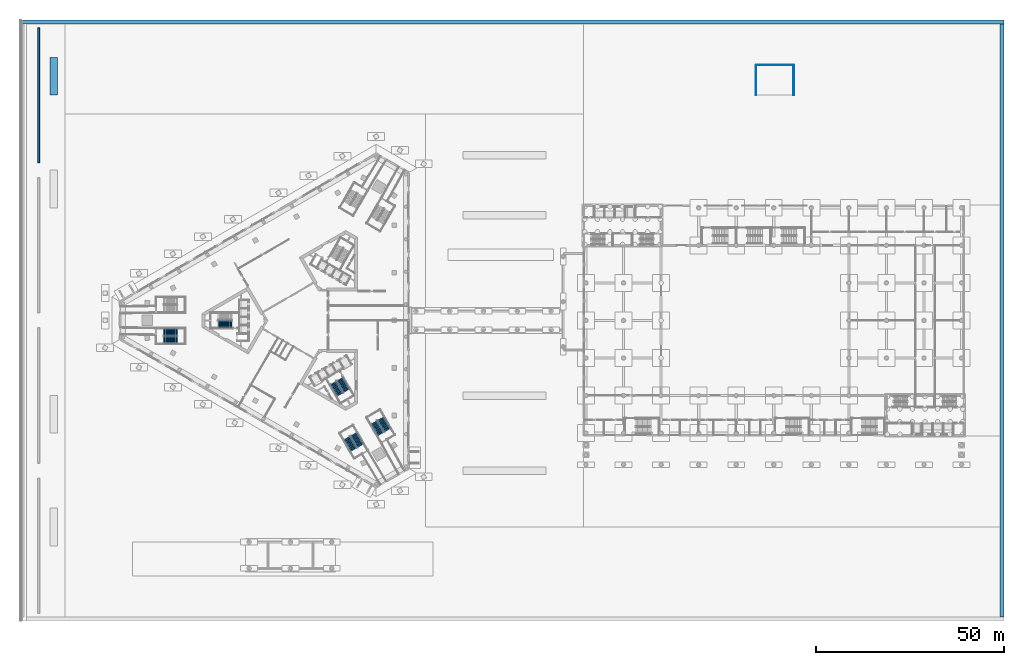
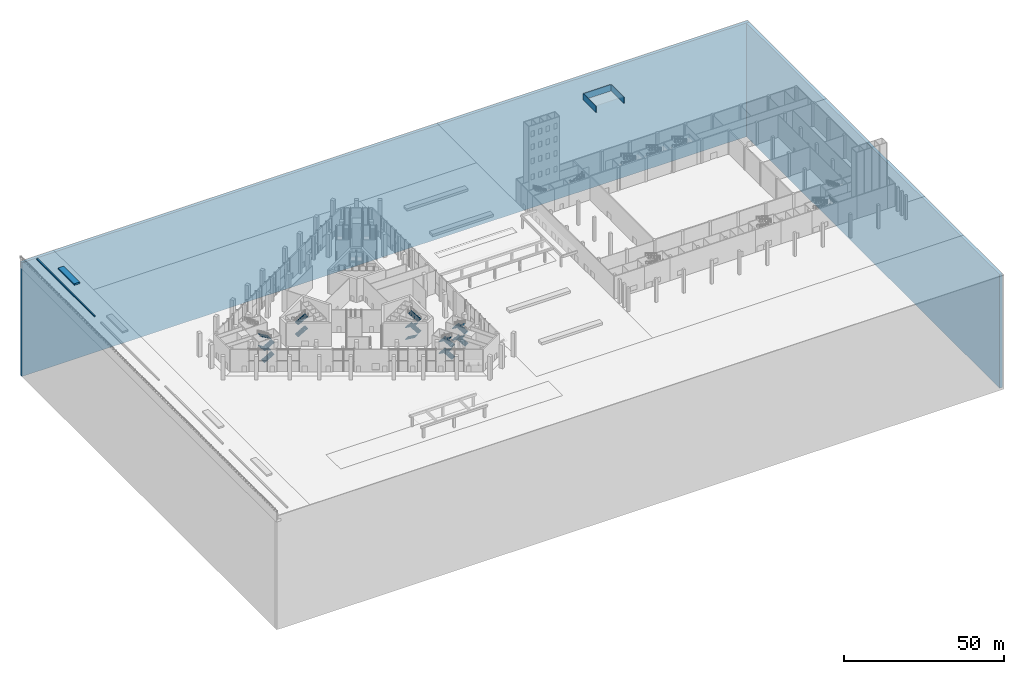
# One storey, part 40 of 63: 18 stair flights, 7 walls, 5 elements without a shape of their own.
"""IFC4 building model written with IfcOpenShell, lengths in metres."""

from ifc_helpers import new_model, si_unit, direction, frame, frame_2d, origin, place, context, subcontext, project, spatial, polyline, rectangle, outline, extrude, material, layer, layer_set, type_object, element, aggregate, save


model = new_model("IFC4")

# Units and contexts
model_context = context("Model", 3, precision=1e-05, world=origin(), true_north=direction((0.0, 1.0)))
body_context = subcontext(model_context, "Body", "Model", "MODEL_VIEW")
ifc_project = project(units=[si_unit("LENGTHUNIT", "METRE"), si_unit("AREAUNIT", "SQUARE_METRE"), si_unit("VOLUMEUNIT", "CUBIC_METRE"), si_unit("PLANEANGLEUNIT", "RADIAN"), si_unit("MASSUNIT", "GRAM", prefix="KILO")], contexts=[model_context])

# Site, building, storey
site_placement = place(None, origin())
site = spatial("IfcSite", under=ifc_project, at=site_placement, CompositionType="ELEMENT")
building_placement = place(site_placement, origin())
building = spatial("IfcBuilding", under=site, at=building_placement, Name="Jabali Bay Hotel Tower and Convention Centre", CompositionType="ELEMENT")
storey_placement = place(building_placement, origin())
storey = spatial("IfcBuildingStorey", under=building, at=storey_placement, Name="L00", CompositionType="ELEMENT", Elevation=0.0)

# Walls
ifc_material_1 = material(Name="Concrete C40", Category="concrete")
ifc_layer_1 = layer(ifc_material_1, 1.0)
ifc_layer_set_1 = layer_set([ifc_layer_1], Name="Concrete C40")
wall_type_1 = type_object("IfcWallType", Name="SI Perimeter Cut-off Wall 1000", PredefinedType="SOLIDWALL", material=ifc_layer_set_1)
wall_1_placement = place(storey_placement, frame((0.10009765625, 159.5, -43.5), z_axis=(0.0, 0.0, 1.0), x_axis=(1.0, 0.0, 0.0)))
element("IfcWall", 1, at=wall_1_placement, inside=storey, type_object=wall_type_1, Name="Perimeter cut-off wall north", PredefinedType="SOLIDWALL", context=body_context, shape_type="SweptSolid", body=[
    extrude(rectangle(XDim=261.89990234375, YDim=1.0, at=frame_2d((130.949951171875, 0.0))), origin(), (0.0, 0.0, 1.0), 43.340087890625),
])
wall_2_placement = place(storey_placement, frame((261.5, 1.0, -43.5), z_axis=(0.0, 0.0, 1.0), x_axis=(0.0, 1.0, 0.0)))
element("IfcWall", 2, at=wall_2_placement, inside=storey, type_object=wall_type_1, Name="Perimeter cut-off wall east", PredefinedType="SOLIDWALL", context=body_context, shape_type="SweptSolid", body=[
    extrude(rectangle(XDim=158.0, YDim=1.0, at=frame_2d((79.0, 0.0))), origin(), (0.0, 0.0, 1.0), 43.340087890625),
])
ifc_material_2 = material(Name="Concrete C30", Category="concrete")
ifc_layer_2 = layer(ifc_material_2, 2.0)
ifc_layer_set_2 = layer_set([ifc_layer_2], Name="Concrete C30")
wall_type_2 = type_object("IfcWallType", Name="SI Planter Wall 2000", PredefinedType="SOLIDWALL", material=ifc_layer_set_2)
wall_3_placement = place(storey_placement, frame((9.0, 140.0, 0.0), z_axis=(0.0, 0.0, 1.0), x_axis=(0.0, 1.0, 0.0)))
element("IfcWall", 3, at=wall_3_placement, inside=storey, type_object=wall_type_2, Name="Promenade planter 4", PredefinedType="SOLIDWALL", context=body_context, shape_type="SweptSolid", body=[
    extrude(rectangle(XDim=10.0, YDim=2.0, at=frame_2d((5.0, 0.0))), origin(), (0.0, 0.0, 1.0), 0.60009765625),
])
ifc_layer_3 = layer(ifc_material_2, 0.449951171875)
ifc_layer_set_3 = layer_set([ifc_layer_3], Name="Concrete C30")
wall_type_3 = type_object("IfcWallType", Name="SI Promenade Seat Wall 450", PredefinedType="SOLIDWALL", material=ifc_layer_set_3)
wall_4_placement = place(storey_placement, frame((5.0, 122.0, 0.0), z_axis=(0.0, 0.0, 1.0), x_axis=(0.0, 1.0, 0.0)))
element("IfcWall", 4, at=wall_4_placement, inside=storey, type_object=wall_type_3, Name="Promenade seat wall 4", PredefinedType="SOLIDWALL", context=body_context, shape_type="SweptSolid", body=[
    extrude(rectangle(XDim=36.0, YDim=0.449951171875, at=frame_2d((18.0, 0.0))), origin(), (0.0, 0.0, 1.0), 0.449951171875),
])
ifc_layer_4 = layer(ifc_material_2, 0.199951171875)
ifc_layer_set_4 = layer_set([ifc_layer_4], Name="Concrete C30")
wall_type_4 = type_object("IfcWallType", Name="SI Refuse Enclosure Wall 200", PredefinedType="SOLIDWALL", material=ifc_layer_set_4)
wall_5_placement = place(storey_placement, frame((196.0, 148.0, 0.0), z_axis=(0.0, 0.0, 1.0), x_axis=(1.0, 0.0, 0.0)))
element("IfcWall", 5, at=wall_5_placement, inside=storey, type_object=wall_type_4, Name="Refuse enclosure wall 1", PredefinedType="SOLIDWALL", context=body_context, shape_type="SweptSolid", body=[
    extrude(rectangle(XDim=10.0, YDim=0.199951171875, at=frame_2d((5.0, 0.0))), origin(), (0.0, 0.0, 1.0), 2.39990234375),
])
for number, where, z_axis, x_axis, name in (
    (6, (196.0, 140.0, 0.0), (0.0, 0.0, 1.0), (0.0, 1.0, 0.0), "Refuse enclosure wall 2"),
    (7, (206.0, 140.0, 0.0), (0.0, 0.0, 1.0), (0.0, 1.0, 0.0), "Refuse enclosure wall 3"),
):
    element("IfcWall", number, at=place(storey_placement, frame(where, z_axis=z_axis, x_axis=x_axis)), inside=storey, type_object=wall_type_4, Name=name, PredefinedType="SOLIDWALL", context=body_context, shape_type="SweptSolid", body=[
        extrude(rectangle(XDim=8.0, YDim=0.199951171875, at=frame_2d((4.0, 0.0))), origin(), (0.0, 0.0, 1.0), 2.39990234375),
    ])

# Stair, stair flights
stair_type_1 = type_object("IfcStairType", Name="Exit stair 1900", PredefinedType="HALF_TURN_STAIR", material=ifc_material_1)
stair_1_placement = place(storey_placement, origin())
stair_1 = element("IfcStair", 8, at=stair_1_placement, inside=storey, type_object=stair_type_1, Name="L00 Exit Stair 1", PredefinedType="HALF_TURN_STAIR")
stair_flight_type = type_object("IfcStairFlightType", Name="Stair flight concrete 150", PredefinedType="STRAIGHT", material=ifc_material_1)
stair_flight_1_placement = place(storey_placement, frame((52.780029296875, 78.97509765625, 2.25), z_axis=(0.0, 0.0, 1.0), x_axis=(1.0, 0.0, 0.0)))
stair_flight_1 = element("IfcStairFlight", 9, at=stair_flight_1_placement, type_object=stair_flight_type, Name="ST1 flight 2", NumberOfRisers=14, NumberOfTreads=13, PredefinedType="STRAIGHT", RiserHeight=0.160714286, TreadLength=0.28, context=body_context, shape_type="SweptSolid", body=[
    extrude(outline(polyline([(0.0, 0.0), (0.0, 0.16064453125), (0.280029296875, 0.16064453125), (0.280029296875, 0.321533203125), (0.56005859375, 0.321533203125), (0.56005859375, 0.482177734375), (0.840087890625, 0.482177734375), (0.840087890625, 0.642822265625), (1.1201171875, 0.642822265625), (1.1201171875, 0.803466796875), (1.39990234375, 0.803466796875), (1.39990234375, 0.96435546875), (1.679931640625, 0.96435546875), (1.679931640625, 1.125), (1.9599609375, 1.125), (1.9599609375, 1.28564453125), (2.239990234375, 1.28564453125), (2.239990234375, 1.446533203125), (2.52001953125, 1.446533203125), (2.52001953125, 1.607177734375), (2.800048828125, 1.607177734375), (2.800048828125, 1.767822265625), (3.080078125, 1.767822265625), (3.080078125, 1.928466796875), (3.360107421875, 1.928466796875), (3.360107421875, 2.08935546875), (3.639892578125, 2.08935546875), (3.639892578125, 2.25), (3.639892578125, 1.91650390625), (0.301025390625, 0.0), (0.0, 0.0)])), frame((0.0, 0.949951171875, 0.0), z_axis=(0.0, -1.0, 0.0), x_axis=(1.0, 0.0, 0.0)), (0.0, 0.0, 1.0), 1.89990234375),
])
stair_flight_2_placement = place(storey_placement, frame((52.780029296875, 78.97509765625, 6.75), z_axis=(0.0, 0.0, 1.0), x_axis=(1.0, 0.0, 0.0)))
stair_flight_2 = element("IfcStairFlight", 10, at=stair_flight_2_placement, type_object=stair_flight_type, Name="ST1 flight 4", NumberOfRisers=14, NumberOfTreads=13, PredefinedType="STRAIGHT", RiserHeight=0.160714286, TreadLength=0.28, context=body_context, shape_type="SweptSolid", body=[
    extrude(outline(polyline([(0.0, 0.0), (0.0, 0.16064453125), (0.280029296875, 0.16064453125), (0.280029296875, 0.321533203125), (0.56005859375, 0.321533203125), (0.56005859375, 0.482177734375), (0.840087890625, 0.482177734375), (0.840087890625, 0.642822265625), (1.1201171875, 0.642822265625), (1.1201171875, 0.803466796875), (1.39990234375, 0.803466796875), (1.39990234375, 0.96435546875), (1.679931640625, 0.96435546875), (1.679931640625, 1.125), (1.9599609375, 1.125), (1.9599609375, 1.28564453125), (2.239990234375, 1.28564453125), (2.239990234375, 1.446533203125), (2.52001953125, 1.446533203125), (2.52001953125, 1.607177734375), (2.800048828125, 1.607177734375), (2.800048828125, 1.767822265625), (3.080078125, 1.767822265625), (3.080078125, 1.928466796875), (3.360107421875, 1.928466796875), (3.360107421875, 2.08935546875), (3.639892578125, 2.08935546875), (3.639892578125, 2.25), (3.639892578125, 1.91650390625), (0.301025390625, 0.0), (0.0, 0.0)])), frame((0.0, 0.949951171875, 0.0), z_axis=(0.0, -1.0, 0.0), x_axis=(1.0, 0.0, 0.0)), (0.0, 0.0, 1.0), 1.89990234375),
])
aggregate(stair_1, [stair_flight_1, stair_flight_2])

stair_2_placement = place(storey_placement, origin())
stair_2 = element("IfcStair", 11, at=stair_2_placement, inside=storey, type_object=stair_type_1, Name="L00 Exit Stair 3", PredefinedType="HALF_TURN_STAIR")
stair_flight_3_placement = place(storey_placement, frame((83.40234375, 63.396728515625, 0.0), z_axis=(0.0, 0.0, 1.0), x_axis=(0.5, -0.866025403784, 0.0)))
stair_flight_3 = element("IfcStairFlight", 12, at=stair_flight_3_placement, type_object=stair_flight_type, Name="ST3 flight 1", NumberOfRisers=14, NumberOfTreads=13, PredefinedType="STRAIGHT", RiserHeight=0.160714286, TreadLength=0.28, context=body_context, shape_type="SweptSolid", body=[
    extrude(outline(polyline([(0.0, 0.0), (0.0, 0.16064453125), (0.280029296875, 0.16064453125), (0.280029296875, 0.321533203125), (0.56005859375, 0.321533203125), (0.56005859375, 0.482177734375), (0.840087890625, 0.482177734375), (0.840087890625, 0.642822265625), (1.1201171875, 0.642822265625), (1.1201171875, 0.803466796875), (1.39990234375, 0.803466796875), (1.39990234375, 0.96435546875), (1.679931640625, 0.96435546875), (1.679931640625, 1.125), (1.9599609375, 1.125), (1.9599609375, 1.28564453125), (2.239990234375, 1.28564453125), (2.239990234375, 1.446533203125), (2.52001953125, 1.446533203125), (2.52001953125, 1.607177734375), (2.800048828125, 1.607177734375), (2.800048828125, 1.767822265625), (3.080078125, 1.767822265625), (3.080078125, 1.928466796875), (3.360107421875, 1.928466796875), (3.360107421875, 2.08935546875), (3.639892578125, 2.08935546875), (3.639892578125, 2.25), (3.639892578125, 1.91650390625), (0.301025390625, 0.0), (0.0, 0.0)])), frame((0.0, 0.949951171875, 0.0), z_axis=(0.0, -1.0, 0.0), x_axis=(1.0, 0.0, 0.0)), (0.0, 0.0, 1.0), 1.89990234375),
])
stair_flight_4_placement = place(storey_placement, frame((86.99755859375, 61.26953125, 2.25), z_axis=(0.0, 0.0, 1.0), x_axis=(-0.5, 0.866025403784, 0.0)))
stair_flight_4 = element("IfcStairFlight", 13, at=stair_flight_4_placement, type_object=stair_flight_type, Name="ST3 flight 2", NumberOfRisers=14, NumberOfTreads=13, PredefinedType="STRAIGHT", RiserHeight=0.160714286, TreadLength=0.28, context=body_context, shape_type="SweptSolid", body=[
    extrude(outline(polyline([(0.0, 0.0), (0.0, 0.16064453125), (0.280029296875, 0.16064453125), (0.280029296875, 0.321533203125), (0.56005859375, 0.321533203125), (0.56005859375, 0.482177734375), (0.840087890625, 0.482177734375), (0.840087890625, 0.642822265625), (1.1201171875, 0.642822265625), (1.1201171875, 0.803466796875), (1.39990234375, 0.803466796875), (1.39990234375, 0.96435546875), (1.679931640625, 0.96435546875), (1.679931640625, 1.125), (1.9599609375, 1.125), (1.9599609375, 1.28564453125), (2.239990234375, 1.28564453125), (2.239990234375, 1.446533203125), (2.52001953125, 1.446533203125), (2.52001953125, 1.607177734375), (2.800048828125, 1.607177734375), (2.800048828125, 1.767822265625), (3.080078125, 1.767822265625), (3.080078125, 1.928466796875), (3.360107421875, 1.928466796875), (3.360107421875, 2.08935546875), (3.639892578125, 2.08935546875), (3.639892578125, 2.25), (3.639892578125, 1.91650390625), (0.301025390625, 0.0), (0.0, 0.0)])), frame((0.0, 0.949951171875, 0.0), z_axis=(0.0, -1.0, 0.0), x_axis=(1.0, 0.0, 0.0)), (0.0, 0.0, 1.0), 1.89990234375),
])
stair_flight_5_placement = place(storey_placement, frame((83.40234375, 63.396728515625, 4.5), z_axis=(0.0, 0.0, 1.0), x_axis=(0.5, -0.866025403784, 0.0)))
stair_flight_5 = element("IfcStairFlight", 14, at=stair_flight_5_placement, type_object=stair_flight_type, Name="ST3 flight 3", NumberOfRisers=14, NumberOfTreads=13, PredefinedType="STRAIGHT", RiserHeight=0.160714286, TreadLength=0.28, context=body_context, shape_type="SweptSolid", body=[
    extrude(outline(polyline([(0.0, 0.0), (0.0, 0.16064453125), (0.280029296875, 0.16064453125), (0.280029296875, 0.321533203125), (0.56005859375, 0.321533203125), (0.56005859375, 0.482177734375), (0.840087890625, 0.482177734375), (0.840087890625, 0.642822265625), (1.1201171875, 0.642822265625), (1.1201171875, 0.803466796875), (1.39990234375, 0.803466796875), (1.39990234375, 0.96435546875), (1.679931640625, 0.96435546875), (1.679931640625, 1.125), (1.9599609375, 1.125), (1.9599609375, 1.28564453125), (2.239990234375, 1.28564453125), (2.239990234375, 1.446533203125), (2.52001953125, 1.446533203125), (2.52001953125, 1.607177734375), (2.800048828125, 1.607177734375), (2.800048828125, 1.767822265625), (3.080078125, 1.767822265625), (3.080078125, 1.928466796875), (3.360107421875, 1.928466796875), (3.360107421875, 2.08935546875), (3.639892578125, 2.08935546875), (3.639892578125, 2.25), (3.639892578125, 1.91650390625), (0.301025390625, 0.0), (0.0, 0.0)])), frame((0.0, 0.949951171875, 0.0), z_axis=(0.0, -1.0, 0.0), x_axis=(1.0, 0.0, 0.0)), (0.0, 0.0, 1.0), 1.89990234375),
])
stair_flight_6_placement = place(storey_placement, frame((86.99755859375, 61.26953125, 6.75), z_axis=(0.0, 0.0, 1.0), x_axis=(-0.5, 0.866025403784, 0.0)))
stair_flight_6 = element("IfcStairFlight", 15, at=stair_flight_6_placement, type_object=stair_flight_type, Name="ST3 flight 4", NumberOfRisers=14, NumberOfTreads=13, PredefinedType="STRAIGHT", RiserHeight=0.160714286, TreadLength=0.28, context=body_context, shape_type="SweptSolid", body=[
    extrude(outline(polyline([(0.0, 0.0), (0.0, 0.16064453125), (0.280029296875, 0.16064453125), (0.280029296875, 0.321533203125), (0.56005859375, 0.321533203125), (0.56005859375, 0.482177734375), (0.840087890625, 0.482177734375), (0.840087890625, 0.642822265625), (1.1201171875, 0.642822265625), (1.1201171875, 0.803466796875), (1.39990234375, 0.803466796875), (1.39990234375, 0.96435546875), (1.679931640625, 0.96435546875), (1.679931640625, 1.125), (1.9599609375, 1.125), (1.9599609375, 1.28564453125), (2.239990234375, 1.28564453125), (2.239990234375, 1.446533203125), (2.52001953125, 1.446533203125), (2.52001953125, 1.607177734375), (2.800048828125, 1.607177734375), (2.800048828125, 1.767822265625), (3.080078125, 1.767822265625), (3.080078125, 1.928466796875), (3.360107421875, 1.928466796875), (3.360107421875, 2.08935546875), (3.639892578125, 2.08935546875), (3.639892578125, 2.25), (3.639892578125, 1.91650390625), (0.301025390625, 0.0), (0.0, 0.0)])), frame((0.0, 0.949951171875, 0.0), z_axis=(0.0, -1.0, 0.0), x_axis=(1.0, 0.0, 0.0)), (0.0, 0.0, 1.0), 1.89990234375),
])
aggregate(stair_2, [stair_flight_3, stair_flight_4, stair_flight_5, stair_flight_6])

stair_type_2 = type_object("IfcStairType", Name="Podium stair 1950", PredefinedType="HALF_TURN_STAIR", material=ifc_material_1)
stair_3_placement = place(storey_placement, origin())
stair_3 = element("IfcStair", 16, at=stair_3_placement, inside=storey, type_object=stair_type_2, Name="L00 Podium Exit Stair 1", PredefinedType="HALF_TURN_STAIR")
stair_flight_7_placement = place(storey_placement, frame((38.25, 74.824951171875, 0.0), z_axis=(0.0, 0.0, 1.0), x_axis=(1.0, 0.0, 0.0)))
stair_flight_7 = element("IfcStairFlight", 17, at=stair_flight_7_placement, type_object=stair_flight_type, Name="PS1 flight 1", NumberOfRisers=14, NumberOfTreads=13, PredefinedType="STRAIGHT", RiserHeight=0.160714286, TreadLength=0.28, context=body_context, shape_type="SweptSolid", body=[
    extrude(outline(polyline([(0.0, 0.0), (0.0, 0.16064453125), (0.280029296875, 0.16064453125), (0.280029296875, 0.321533203125), (0.56005859375, 0.321533203125), (0.56005859375, 0.482177734375), (0.840087890625, 0.482177734375), (0.840087890625, 0.642822265625), (1.1201171875, 0.642822265625), (1.1201171875, 0.803466796875), (1.39990234375, 0.803466796875), (1.39990234375, 0.96435546875), (1.679931640625, 0.96435546875), (1.679931640625, 1.125), (1.9599609375, 1.125), (1.9599609375, 1.28564453125), (2.239990234375, 1.28564453125), (2.239990234375, 1.446533203125), (2.52001953125, 1.446533203125), (2.52001953125, 1.607177734375), (2.800048828125, 1.607177734375), (2.800048828125, 1.767822265625), (3.080078125, 1.767822265625), (3.080078125, 1.928466796875), (3.360107421875, 1.928466796875), (3.360107421875, 2.08935546875), (3.639892578125, 2.08935546875), (3.639892578125, 2.25), (3.639892578125, 1.91650390625), (0.301025390625, 0.0), (0.0, 0.0)])), frame((0.0, 0.97509765625, 0.0), z_axis=(0.0, -1.0, 0.0), x_axis=(1.0, 0.0, 0.0)), (0.0, 0.0, 1.0), 1.949951171875),
])
stair_flight_8_placement = place(storey_placement, frame((41.889892578125, 76.875, 2.25), z_axis=(0.0, 0.0, 1.0), x_axis=(-1.0, 0.0, 0.0)))
stair_flight_8 = element("IfcStairFlight", 18, at=stair_flight_8_placement, type_object=stair_flight_type, Name="PS1 flight 2", NumberOfRisers=14, NumberOfTreads=13, PredefinedType="STRAIGHT", RiserHeight=0.160714286, TreadLength=0.28, context=body_context, shape_type="SweptSolid", body=[
    extrude(outline(polyline([(0.0, 0.0), (0.0, 0.16064453125), (0.280029296875, 0.16064453125), (0.280029296875, 0.321533203125), (0.56005859375, 0.321533203125), (0.56005859375, 0.482177734375), (0.840087890625, 0.482177734375), (0.840087890625, 0.642822265625), (1.1201171875, 0.642822265625), (1.1201171875, 0.803466796875), (1.39990234375, 0.803466796875), (1.39990234375, 0.96435546875), (1.679931640625, 0.96435546875), (1.679931640625, 1.125), (1.9599609375, 1.125), (1.9599609375, 1.28564453125), (2.239990234375, 1.28564453125), (2.239990234375, 1.446533203125), (2.52001953125, 1.446533203125), (2.52001953125, 1.607177734375), (2.800048828125, 1.607177734375), (2.800048828125, 1.767822265625), (3.080078125, 1.767822265625), (3.080078125, 1.928466796875), (3.360107421875, 1.928466796875), (3.360107421875, 2.08935546875), (3.639892578125, 2.08935546875), (3.639892578125, 2.25), (3.639892578125, 1.91650390625), (0.301025390625, 0.0), (0.0, 0.0)])), frame((0.0, 0.97509765625, 0.0), z_axis=(0.0, -1.0, 0.0), x_axis=(1.0, 0.0, 0.0)), (0.0, 0.0, 1.0), 1.949951171875),
])
stair_flight_9_placement = place(storey_placement, frame((38.25, 74.824951171875, 4.5), z_axis=(0.0, 0.0, 1.0), x_axis=(1.0, 0.0, 0.0)))
stair_flight_9 = element("IfcStairFlight", 19, at=stair_flight_9_placement, type_object=stair_flight_type, Name="PS1 flight 3", NumberOfRisers=14, NumberOfTreads=13, PredefinedType="STRAIGHT", RiserHeight=0.160714286, TreadLength=0.28, context=body_context, shape_type="SweptSolid", body=[
    extrude(outline(polyline([(0.0, 0.0), (0.0, 0.16064453125), (0.280029296875, 0.16064453125), (0.280029296875, 0.321533203125), (0.56005859375, 0.321533203125), (0.56005859375, 0.482177734375), (0.840087890625, 0.482177734375), (0.840087890625, 0.642822265625), (1.1201171875, 0.642822265625), (1.1201171875, 0.803466796875), (1.39990234375, 0.803466796875), (1.39990234375, 0.96435546875), (1.679931640625, 0.96435546875), (1.679931640625, 1.125), (1.9599609375, 1.125), (1.9599609375, 1.28564453125), (2.239990234375, 1.28564453125), (2.239990234375, 1.446533203125), (2.52001953125, 1.446533203125), (2.52001953125, 1.607177734375), (2.800048828125, 1.607177734375), (2.800048828125, 1.767822265625), (3.080078125, 1.767822265625), (3.080078125, 1.928466796875), (3.360107421875, 1.928466796875), (3.360107421875, 2.08935546875), (3.639892578125, 2.08935546875), (3.639892578125, 2.25), (3.639892578125, 1.91650390625), (0.301025390625, 0.0), (0.0, 0.0)])), frame((0.0, 0.97509765625, 0.0), z_axis=(0.0, -1.0, 0.0), x_axis=(1.0, 0.0, 0.0)), (0.0, 0.0, 1.0), 1.949951171875),
])
stair_flight_10_placement = place(storey_placement, frame((41.889892578125, 76.875, 6.75), z_axis=(0.0, 0.0, 1.0), x_axis=(-1.0, 0.0, 0.0)))
stair_flight_10 = element("IfcStairFlight", 20, at=stair_flight_10_placement, type_object=stair_flight_type, Name="PS1 flight 4", NumberOfRisers=14, NumberOfTreads=13, PredefinedType="STRAIGHT", RiserHeight=0.160714286, TreadLength=0.28, context=body_context, shape_type="SweptSolid", body=[
    extrude(outline(polyline([(0.0, 0.0), (0.0, 0.16064453125), (0.280029296875, 0.16064453125), (0.280029296875, 0.321533203125), (0.56005859375, 0.321533203125), (0.56005859375, 0.482177734375), (0.840087890625, 0.482177734375), (0.840087890625, 0.642822265625), (1.1201171875, 0.642822265625), (1.1201171875, 0.803466796875), (1.39990234375, 0.803466796875), (1.39990234375, 0.96435546875), (1.679931640625, 0.96435546875), (1.679931640625, 1.125), (1.9599609375, 1.125), (1.9599609375, 1.28564453125), (2.239990234375, 1.28564453125), (2.239990234375, 1.446533203125), (2.52001953125, 1.446533203125), (2.52001953125, 1.607177734375), (2.800048828125, 1.607177734375), (2.800048828125, 1.767822265625), (3.080078125, 1.767822265625), (3.080078125, 1.928466796875), (3.360107421875, 1.928466796875), (3.360107421875, 2.08935546875), (3.639892578125, 2.08935546875), (3.639892578125, 2.25), (3.639892578125, 1.91650390625), (0.301025390625, 0.0), (0.0, 0.0)])), frame((0.0, 0.97509765625, 0.0), z_axis=(0.0, -1.0, 0.0), x_axis=(1.0, 0.0, 0.0)), (0.0, 0.0, 1.0), 1.949951171875),
])
aggregate(stair_3, [stair_flight_7, stair_flight_8, stair_flight_9, stair_flight_10])

stair_4_placement = place(storey_placement, origin())
stair_4 = element("IfcStair", 21, at=stair_4_placement, inside=storey, type_object=stair_type_2, Name="L00 Podium Exit Stair 5", PredefinedType="HALF_TURN_STAIR")
stair_flight_11_placement = place(storey_placement, frame((97.856689453125, 50.760986328125, 0.0), z_axis=(0.0, 0.0, 1.0), x_axis=(-0.5, 0.866025403784, 0.0)))
stair_flight_11 = element("IfcStairFlight", 22, at=stair_flight_11_placement, type_object=stair_flight_type, Name="PS5 flight 1", NumberOfRisers=14, NumberOfTreads=13, PredefinedType="STRAIGHT", RiserHeight=0.160714286, TreadLength=0.28, context=body_context, shape_type="SweptSolid", body=[
    extrude(outline(polyline([(0.0, 0.0), (0.0, 0.16064453125), (0.280029296875, 0.16064453125), (0.280029296875, 0.321533203125), (0.56005859375, 0.321533203125), (0.56005859375, 0.482177734375), (0.840087890625, 0.482177734375), (0.840087890625, 0.642822265625), (1.1201171875, 0.642822265625), (1.1201171875, 0.803466796875), (1.39990234375, 0.803466796875), (1.39990234375, 0.96435546875), (1.679931640625, 0.96435546875), (1.679931640625, 1.125), (1.9599609375, 1.125), (1.9599609375, 1.28564453125), (2.239990234375, 1.28564453125), (2.239990234375, 1.446533203125), (2.52001953125, 1.446533203125), (2.52001953125, 1.607177734375), (2.800048828125, 1.607177734375), (2.800048828125, 1.767822265625), (3.080078125, 1.767822265625), (3.080078125, 1.928466796875), (3.360107421875, 1.928466796875), (3.360107421875, 2.08935546875), (3.639892578125, 2.08935546875), (3.639892578125, 2.25), (3.639892578125, 1.91650390625), (0.301025390625, 0.0), (0.0, 0.0)])), frame((0.0, 0.97509765625, 0.0), z_axis=(0.0, -1.0, 0.0), x_axis=(1.0, 0.0, 0.0)), (0.0, 0.0, 1.0), 1.949951171875),
])
stair_flight_12_placement = place(storey_placement, frame((94.26123046875, 52.888427734375, 2.25), z_axis=(0.0, 0.0, 1.0), x_axis=(0.5, -0.866025403784, 0.0)))
stair_flight_12 = element("IfcStairFlight", 23, at=stair_flight_12_placement, type_object=stair_flight_type, Name="PS5 flight 2", NumberOfRisers=14, NumberOfTreads=13, PredefinedType="STRAIGHT", RiserHeight=0.160714286, TreadLength=0.28, context=body_context, shape_type="SweptSolid", body=[
    extrude(outline(polyline([(0.0, 0.0), (0.0, 0.16064453125), (0.280029296875, 0.16064453125), (0.280029296875, 0.321533203125), (0.56005859375, 0.321533203125), (0.56005859375, 0.482177734375), (0.840087890625, 0.482177734375), (0.840087890625, 0.642822265625), (1.1201171875, 0.642822265625), (1.1201171875, 0.803466796875), (1.39990234375, 0.803466796875), (1.39990234375, 0.96435546875), (1.679931640625, 0.96435546875), (1.679931640625, 1.125), (1.9599609375, 1.125), (1.9599609375, 1.28564453125), (2.239990234375, 1.28564453125), (2.239990234375, 1.446533203125), (2.52001953125, 1.446533203125), (2.52001953125, 1.607177734375), (2.800048828125, 1.607177734375), (2.800048828125, 1.767822265625), (3.080078125, 1.767822265625), (3.080078125, 1.928466796875), (3.360107421875, 1.928466796875), (3.360107421875, 2.08935546875), (3.639892578125, 2.08935546875), (3.639892578125, 2.25), (3.639892578125, 1.91650390625), (0.301025390625, 0.0), (0.0, 0.0)])), frame((0.0, 0.97509765625, 0.0), z_axis=(0.0, -1.0, 0.0), x_axis=(1.0, 0.0, 0.0)), (0.0, 0.0, 1.0), 1.949951171875),
])
stair_flight_13_placement = place(storey_placement, frame((97.856689453125, 50.760986328125, 4.5), z_axis=(0.0, 0.0, 1.0), x_axis=(-0.5, 0.866025403784, 0.0)))
stair_flight_13 = element("IfcStairFlight", 24, at=stair_flight_13_placement, type_object=stair_flight_type, Name="PS5 flight 3", NumberOfRisers=14, NumberOfTreads=13, PredefinedType="STRAIGHT", RiserHeight=0.160714286, TreadLength=0.28, context=body_context, shape_type="SweptSolid", body=[
    extrude(outline(polyline([(0.0, 0.0), (0.0, 0.16064453125), (0.280029296875, 0.16064453125), (0.280029296875, 0.321533203125), (0.56005859375, 0.321533203125), (0.56005859375, 0.482177734375), (0.840087890625, 0.482177734375), (0.840087890625, 0.642822265625), (1.1201171875, 0.642822265625), (1.1201171875, 0.803466796875), (1.39990234375, 0.803466796875), (1.39990234375, 0.96435546875), (1.679931640625, 0.96435546875), (1.679931640625, 1.125), (1.9599609375, 1.125), (1.9599609375, 1.28564453125), (2.239990234375, 1.28564453125), (2.239990234375, 1.446533203125), (2.52001953125, 1.446533203125), (2.52001953125, 1.607177734375), (2.800048828125, 1.607177734375), (2.800048828125, 1.767822265625), (3.080078125, 1.767822265625), (3.080078125, 1.928466796875), (3.360107421875, 1.928466796875), (3.360107421875, 2.08935546875), (3.639892578125, 2.08935546875), (3.639892578125, 2.25), (3.639892578125, 1.91650390625), (0.301025390625, 0.0), (0.0, 0.0)])), frame((0.0, 0.97509765625, 0.0), z_axis=(0.0, -1.0, 0.0), x_axis=(1.0, 0.0, 0.0)), (0.0, 0.0, 1.0), 1.949951171875),
])
stair_flight_14_placement = place(storey_placement, frame((94.26123046875, 52.888427734375, 6.75), z_axis=(0.0, 0.0, 1.0), x_axis=(0.5, -0.866025403784, 0.0)))
stair_flight_14 = element("IfcStairFlight", 25, at=stair_flight_14_placement, type_object=stair_flight_type, Name="PS5 flight 4", NumberOfRisers=14, NumberOfTreads=13, PredefinedType="STRAIGHT", RiserHeight=0.160714286, TreadLength=0.28, context=body_context, shape_type="SweptSolid", body=[
    extrude(outline(polyline([(0.0, 0.0), (0.0, 0.16064453125), (0.280029296875, 0.16064453125), (0.280029296875, 0.321533203125), (0.56005859375, 0.321533203125), (0.56005859375, 0.482177734375), (0.840087890625, 0.482177734375), (0.840087890625, 0.642822265625), (1.1201171875, 0.642822265625), (1.1201171875, 0.803466796875), (1.39990234375, 0.803466796875), (1.39990234375, 0.96435546875), (1.679931640625, 0.96435546875), (1.679931640625, 1.125), (1.9599609375, 1.125), (1.9599609375, 1.28564453125), (2.239990234375, 1.28564453125), (2.239990234375, 1.446533203125), (2.52001953125, 1.446533203125), (2.52001953125, 1.607177734375), (2.800048828125, 1.607177734375), (2.800048828125, 1.767822265625), (3.080078125, 1.767822265625), (3.080078125, 1.928466796875), (3.360107421875, 1.928466796875), (3.360107421875, 2.08935546875), (3.639892578125, 2.08935546875), (3.639892578125, 2.25), (3.639892578125, 1.91650390625), (0.301025390625, 0.0), (0.0, 0.0)])), frame((0.0, 0.97509765625, 0.0), z_axis=(0.0, -1.0, 0.0), x_axis=(1.0, 0.0, 0.0)), (0.0, 0.0, 1.0), 1.949951171875),
])
aggregate(stair_4, [stair_flight_11, stair_flight_12, stair_flight_13, stair_flight_14])

stair_5_placement = place(storey_placement, origin())
stair_5 = element("IfcStair", 26, at=stair_5_placement, inside=storey, type_object=stair_type_2, Name="L00 Podium Exit Stair 6", PredefinedType="HALF_TURN_STAIR")
stair_flight_15_placement = place(storey_placement, frame((90.668701171875, 46.611083984375, 0.0), z_axis=(0.0, 0.0, 1.0), x_axis=(-0.5, 0.866025403784, 0.0)))
stair_flight_15 = element("IfcStairFlight", 27, at=stair_flight_15_placement, type_object=stair_flight_type, Name="PS6 flight 1", NumberOfRisers=14, NumberOfTreads=13, PredefinedType="STRAIGHT", RiserHeight=0.160714286, TreadLength=0.28, context=body_context, shape_type="SweptSolid", body=[
    extrude(outline(polyline([(0.0, 0.0), (0.0, 0.16064453125), (0.280029296875, 0.16064453125), (0.280029296875, 0.321533203125), (0.56005859375, 0.321533203125), (0.56005859375, 0.482177734375), (0.840087890625, 0.482177734375), (0.840087890625, 0.642822265625), (1.1201171875, 0.642822265625), (1.1201171875, 0.803466796875), (1.39990234375, 0.803466796875), (1.39990234375, 0.96435546875), (1.679931640625, 0.96435546875), (1.679931640625, 1.125), (1.9599609375, 1.125), (1.9599609375, 1.28564453125), (2.239990234375, 1.28564453125), (2.239990234375, 1.446533203125), (2.52001953125, 1.446533203125), (2.52001953125, 1.607177734375), (2.800048828125, 1.607177734375), (2.800048828125, 1.767822265625), (3.080078125, 1.767822265625), (3.080078125, 1.928466796875), (3.360107421875, 1.928466796875), (3.360107421875, 2.08935546875), (3.639892578125, 2.08935546875), (3.639892578125, 2.25), (3.639892578125, 1.91650390625), (0.301025390625, 0.0), (0.0, 0.0)])), frame((0.0, 0.97509765625, 0.0), z_axis=(0.0, -1.0, 0.0), x_axis=(1.0, 0.0, 0.0)), (0.0, 0.0, 1.0), 1.949951171875),
])
stair_flight_16_placement = place(storey_placement, frame((87.0732421875, 48.73828125, 2.25), z_axis=(0.0, 0.0, 1.0), x_axis=(0.5, -0.866025403784, 0.0)))
stair_flight_16 = element("IfcStairFlight", 28, at=stair_flight_16_placement, type_object=stair_flight_type, Name="PS6 flight 2", NumberOfRisers=14, NumberOfTreads=13, PredefinedType="STRAIGHT", RiserHeight=0.160714286, TreadLength=0.28, context=body_context, shape_type="SweptSolid", body=[
    extrude(outline(polyline([(0.0, 0.0), (0.0, 0.16064453125), (0.280029296875, 0.16064453125), (0.280029296875, 0.321533203125), (0.56005859375, 0.321533203125), (0.56005859375, 0.482177734375), (0.840087890625, 0.482177734375), (0.840087890625, 0.642822265625), (1.1201171875, 0.642822265625), (1.1201171875, 0.803466796875), (1.39990234375, 0.803466796875), (1.39990234375, 0.96435546875), (1.679931640625, 0.96435546875), (1.679931640625, 1.125), (1.9599609375, 1.125), (1.9599609375, 1.28564453125), (2.239990234375, 1.28564453125), (2.239990234375, 1.446533203125), (2.52001953125, 1.446533203125), (2.52001953125, 1.607177734375), (2.800048828125, 1.607177734375), (2.800048828125, 1.767822265625), (3.080078125, 1.767822265625), (3.080078125, 1.928466796875), (3.360107421875, 1.928466796875), (3.360107421875, 2.08935546875), (3.639892578125, 2.08935546875), (3.639892578125, 2.25), (3.639892578125, 1.91650390625), (0.301025390625, 0.0), (0.0, 0.0)])), frame((0.0, 0.97509765625, 0.0), z_axis=(0.0, -1.0, 0.0), x_axis=(1.0, 0.0, 0.0)), (0.0, 0.0, 1.0), 1.949951171875),
])
stair_flight_17_placement = place(storey_placement, frame((90.668701171875, 46.611083984375, 4.5), z_axis=(0.0, 0.0, 1.0), x_axis=(-0.5, 0.866025403784, 0.0)))
stair_flight_17 = element("IfcStairFlight", 29, at=stair_flight_17_placement, type_object=stair_flight_type, Name="PS6 flight 3", NumberOfRisers=14, NumberOfTreads=13, PredefinedType="STRAIGHT", RiserHeight=0.160714286, TreadLength=0.28, context=body_context, shape_type="SweptSolid", body=[
    extrude(outline(polyline([(0.0, 0.0), (0.0, 0.16064453125), (0.280029296875, 0.16064453125), (0.280029296875, 0.321533203125), (0.56005859375, 0.321533203125), (0.56005859375, 0.482177734375), (0.840087890625, 0.482177734375), (0.840087890625, 0.642822265625), (1.1201171875, 0.642822265625), (1.1201171875, 0.803466796875), (1.39990234375, 0.803466796875), (1.39990234375, 0.96435546875), (1.679931640625, 0.96435546875), (1.679931640625, 1.125), (1.9599609375, 1.125), (1.9599609375, 1.28564453125), (2.239990234375, 1.28564453125), (2.239990234375, 1.446533203125), (2.52001953125, 1.446533203125), (2.52001953125, 1.607177734375), (2.800048828125, 1.607177734375), (2.800048828125, 1.767822265625), (3.080078125, 1.767822265625), (3.080078125, 1.928466796875), (3.360107421875, 1.928466796875), (3.360107421875, 2.08935546875), (3.639892578125, 2.08935546875), (3.639892578125, 2.25), (3.639892578125, 1.91650390625), (0.301025390625, 0.0), (0.0, 0.0)])), frame((0.0, 0.97509765625, 0.0), z_axis=(0.0, -1.0, 0.0), x_axis=(1.0, 0.0, 0.0)), (0.0, 0.0, 1.0), 1.949951171875),
])
stair_flight_18_placement = place(storey_placement, frame((87.0732421875, 48.73828125, 6.75), z_axis=(0.0, 0.0, 1.0), x_axis=(0.5, -0.866025403784, 0.0)))
stair_flight_18 = element("IfcStairFlight", 30, at=stair_flight_18_placement, type_object=stair_flight_type, Name="PS6 flight 4", NumberOfRisers=14, NumberOfTreads=13, PredefinedType="STRAIGHT", RiserHeight=0.160714286, TreadLength=0.28, context=body_context, shape_type="SweptSolid", body=[
    extrude(outline(polyline([(0.0, 0.0), (0.0, 0.16064453125), (0.280029296875, 0.16064453125), (0.280029296875, 0.321533203125), (0.56005859375, 0.321533203125), (0.56005859375, 0.482177734375), (0.840087890625, 0.482177734375), (0.840087890625, 0.642822265625), (1.1201171875, 0.642822265625), (1.1201171875, 0.803466796875), (1.39990234375, 0.803466796875), (1.39990234375, 0.96435546875), (1.679931640625, 0.96435546875), (1.679931640625, 1.125), (1.9599609375, 1.125), (1.9599609375, 1.28564453125), (2.239990234375, 1.28564453125), (2.239990234375, 1.446533203125), (2.52001953125, 1.446533203125), (2.52001953125, 1.607177734375), (2.800048828125, 1.607177734375), (2.800048828125, 1.767822265625), (3.080078125, 1.767822265625), (3.080078125, 1.928466796875), (3.360107421875, 1.928466796875), (3.360107421875, 2.08935546875), (3.639892578125, 2.08935546875), (3.639892578125, 2.25), (3.639892578125, 1.91650390625), (0.301025390625, 0.0), (0.0, 0.0)])), frame((0.0, 0.97509765625, 0.0), z_axis=(0.0, -1.0, 0.0), x_axis=(1.0, 0.0, 0.0)), (0.0, 0.0, 1.0), 1.949951171875),
])
aggregate(stair_5, [stair_flight_15, stair_flight_16, stair_flight_17, stair_flight_18])

save(model, "model.ifc")
